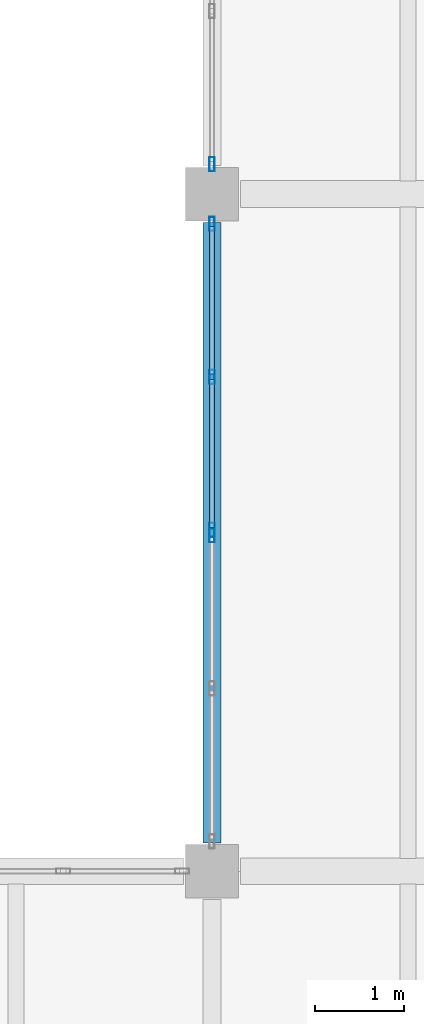
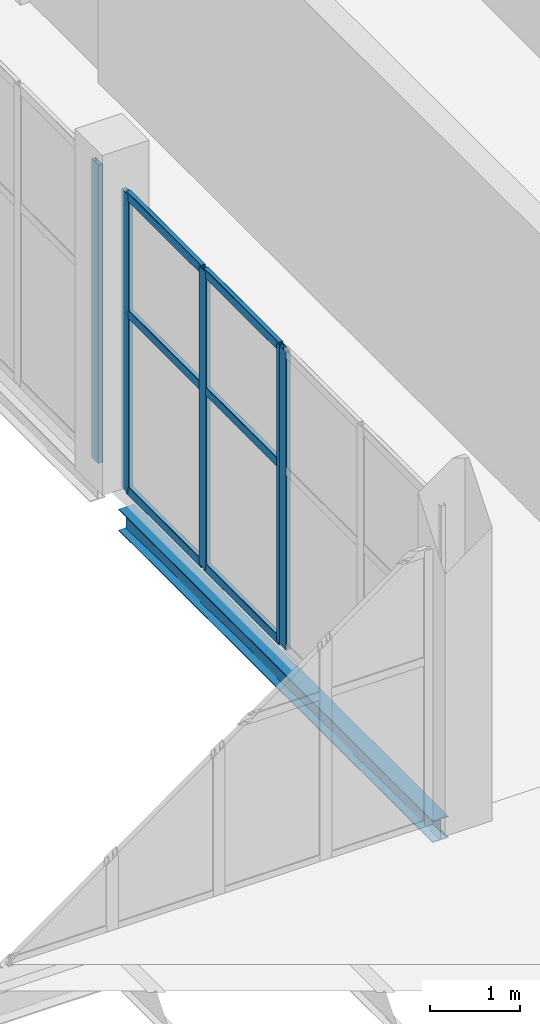
# One storey, part 71 of 136: 11 members, 1 beam, 3 elements without a shape of their own.
"""IFC4 building model written with IfcOpenShell, lengths in metres."""

import ifcopenshell
import ifcopenshell.guid

model = None  # the IFC model being written
_history = None  # IfcOwnerHistory: only IFC2X3 demands one
_inside = {}  # id of a spatial element -> (the spatial element, [elements in it])
_under = {}  # id of a project, library or spatial element -> (it, [spatial elements below it])
_declared = {}  # id of a project -> (the project, [libraries it declares])
_typed = {}  # id of a type object -> (the type object, [elements of that type])
_made_of = {}  # id of a material, layer set ... -> (it, [elements and type objects made of it])


def new_model(schema):
    """Start an empty IFC model of exactly this schema.

    Asked for "IFC4X3", IfcOpenShell would pick the latest addendum, in which some entities
    have other attributes; the version numbers below select the first issue.
    IFC2X3 requires an IfcOwnerHistory on every rooted entity: one is made here for all.
    """
    global model, _history
    if schema == "IFC4X3":
        model = ifcopenshell.file(schema_version=(4, 3, 0, 0))
    else:
        model = ifcopenshell.file(schema=schema)
    _inside.clear()
    _under.clear()
    _declared.clear()
    _typed.clear()
    _made_of.clear()
    _history = None
    if model.schema == "IFC2X3":
        org = make("IfcOrganization", Name="unknown")
        user = make(
            "IfcPersonAndOrganization",
            ThePerson=make("IfcPerson", FamilyName="unknown"),
            TheOrganization=org,
        )
        app = make(
            "IfcApplication",
            ApplicationDeveloper=org,
            Version="unknown",
            ApplicationFullName="unknown",
            ApplicationIdentifier="unknown",
        )
        _history = make(
            "IfcOwnerHistory",
            OwningUser=user,
            OwningApplication=app,
            ChangeAction="ADDED",
            CreationDate=0,
        )
    return model


def make(cls, **values):
    """One entity of the class cls with the attributes given. An attribute that is None is left unset."""
    return model.create_entity(
        cls, **{name: value for name, value in values.items() if value is not None}
    )


def rooted(cls, **values):
    """An entity with a GlobalId (a new one), such as an element, a storey or a relation."""
    return make(cls, GlobalId=ifcopenshell.guid.new(), OwnerHistory=_history, **values)


def si_unit(unit_type, name, prefix=None):
    """IfcSIUnit, for example si_unit("LENGTHUNIT", "METRE", prefix="MILLI")."""
    return make("IfcSIUnit", UnitType=unit_type, Prefix=prefix, Name=name)


def assignment(units):
    """IfcUnitAssignment: the units of a project."""
    return None if units is None else make("IfcUnitAssignment", Units=units)


def point(xyz):
    """IfcCartesianPoint."""
    return None if xyz is None else make("IfcCartesianPoint", Coordinates=xyz)


def direction(xyz):
    """IfcDirection."""
    return None if xyz is None else make("IfcDirection", DirectionRatios=xyz)


def frame(location, z_axis=None, x_axis=None):
    """IfcAxis2Placement3D, a coordinate frame: its origin and axes. An axis left out is left unset."""
    return make(
        "IfcAxis2Placement3D",
        Location=point(location),
        Axis=direction(z_axis),
        RefDirection=direction(x_axis),
    )


def frame_2d(location, x_axis=None):
    """IfcAxis2Placement2D, a coordinate frame in the plane: its origin and x axis."""
    return make(
        "IfcAxis2Placement2D", Location=point(location), RefDirection=direction(x_axis)
    )


def origin():
    """The frame at (0, 0, 0) with its axes left unset."""
    return frame((0.0, 0.0, 0.0))


def origin_2d():
    """The frame at (0, 0) in the plane with its x axis left unset."""
    return frame_2d((0.0, 0.0))


def place(relative_to, where):
    """IfcLocalPlacement: puts the frame where relative to a parent placement (None: the world)."""
    return make(
        "IfcLocalPlacement", PlacementRelTo=relative_to, RelativePlacement=where
    )


def context(
    kind, dimensions, precision=None, world=None, true_north=None, identifier=None
):
    """IfcGeometricRepresentationContext, for example the 3D "Model" context."""
    return make(
        "IfcGeometricRepresentationContext",
        ContextIdentifier=identifier,
        ContextType=kind,
        CoordinateSpaceDimension=dimensions,
        Precision=precision,
        WorldCoordinateSystem=world,
        TrueNorth=true_north,
    )


def subcontext(parent, identifier, kind, view, scale=None):
    """IfcGeometricRepresentationSubContext, for example "Body" below "Model"."""
    return make(
        "IfcGeometricRepresentationSubContext",
        ContextIdentifier=identifier,
        ContextType=kind,
        ParentContext=parent,
        TargetScale=scale,
        TargetView=view,
    )


def project(units=None, contexts=None):
    """IfcProject with its units and contexts."""
    return rooted(
        "IfcProject",
        Name="project",
        RepresentationContexts=contexts,
        UnitsInContext=assignment(units),
    )


def spatial(cls, under=None, at=None, **own):
    """A site, building, storey or space (cls), placed at a placement, below another one or the project."""
    s = rooted(cls, ObjectPlacement=at, **own)
    if under is not None:
        _under.setdefault(under.id(), (under, []))[1].append(s)
    return s


def profile(cls, at=None, kind="AREA", **sizes):
    """A parametric profile (cls). Its sizes go by their IFC names, for example OverallWidth=200.0."""
    return make(cls, ProfileType=kind, Position=at, **sizes)


def hollow_rectangle(**sizes):
    """IfcRectangleHollowProfileDef."""
    return profile("IfcRectangleHollowProfileDef", **sizes)


def i_section(**sizes):
    """IfcIShapeProfileDef."""
    return profile("IfcIShapeProfileDef", **sizes)


def extrude(swept, where, along, depth):
    """IfcExtrudedAreaSolid: the profile swept, set in the frame where, extruded along a direction by depth."""
    return make(
        "IfcExtrudedAreaSolid",
        SweptArea=swept,
        Position=where,
        ExtrudedDirection=direction(along),
        Depth=depth,
    )


def shape(context_of_items, identifier, shape_type, items):
    """IfcShapeRepresentation: the items that make up one representation, for example the "Body"."""
    return make(
        "IfcShapeRepresentation",
        ContextOfItems=context_of_items,
        RepresentationIdentifier=identifier,
        RepresentationType=shape_type,
        Items=items,
    )


def material(Name=None, Category=None):
    """IfcMaterial."""
    return make("IfcMaterial", Name=Name, Category=Category)


def material_profile(
    of_material, cross_section, Name=None, Category=None, Priority=None
):
    """IfcMaterialProfile: a cross section and its material."""
    return make(
        "IfcMaterialProfile",
        Name=Name,
        Material=of_material,
        Profile=cross_section,
        Priority=Priority,
        Category=Category,
    )


def profile_set(profiles, Name=None, composite=None):
    """IfcMaterialProfileSet."""
    return make(
        "IfcMaterialProfileSet",
        Name=Name,
        MaterialProfiles=profiles,
        CompositeProfile=composite,
    )


def made_of(thing, what):
    """Note that an element or type object is made of a material, layer set ...; save() writes the relation."""
    if what is not None:
        _made_of.setdefault(what.id(), (what, []))[1].append(thing)
    return thing


def type_object(cls, material=None, **own):
    """A type object (cls), such as IfcWallType, which elements share."""
    return made_of(rooted(cls, **own), material)


def element(
    cls,
    number,
    at=None,
    inside=None,
    cuts=None,
    type_object=None,
    material=None,
    context=None,
    identifier="Body",
    shape_type=None,
    held_by="IfcProductDefinitionShape",
    body=None,
    shapes=None,
    **own,
):
    """One element of the class cls, such as IfcWall. Its Tag is "e" and its number.

    at: its placement. inside: the storey or other place that contains it. cuts: it is an
    opening in that element (IfcRelVoidsElement). A single representation is given by context,
    identifier, shape_type and body (its items); several are given by shapes. held_by: the class
    of the entity that holds the representations. save() writes the other relations.
    """
    e = rooted(cls, Tag="e%d" % number, ObjectPlacement=at, **own)
    if body is not None:
        shapes = [shape(context, identifier, shape_type, body)]
    if shapes is not None:
        e.Representation = make(held_by, Representations=shapes)
    if inside is not None:
        _inside.setdefault(inside.id(), (inside, []))[1].append(e)
    if cuts is not None:
        rooted(
            "IfcRelVoidsElement", RelatingBuildingElement=cuts, RelatedOpeningElement=e
        )
    if type_object is not None:
        _typed.setdefault(type_object.id(), (type_object, []))[1].append(e)
    return made_of(e, material)


def aggregate(whole, parts):
    """IfcRelAggregates: a whole, such as a stair, and the parts it consists of."""
    return rooted("IfcRelAggregates", RelatingObject=whole, RelatedObjects=parts)


def save(model, path):
    """Write the relations noted so far, then the file.

    IfcRelAggregates (storeys below a building ...), IfcRelContainedInSpatialStructure (elements
    in a storey), IfcRelDefinesByType, IfcRelAssociatesMaterial and IfcRelDeclares: one each for
    every whole, place, type object, material and project.
    """
    for whole, parts in _under.values():
        aggregate(whole, parts)
    for where, things in _inside.values():
        rooted(
            "IfcRelContainedInSpatialStructure",
            RelatedElements=things,
            RelatingStructure=where,
        )
    for kind, things in _typed.values():
        rooted("IfcRelDefinesByType", RelatedObjects=things, RelatingType=kind)
    for what, things in _made_of.values():
        rooted("IfcRelAssociatesMaterial", RelatedObjects=things, RelatingMaterial=what)
    for by, libraries in _declared.values():
        rooted("IfcRelDeclares", RelatingContext=by, RelatedDefinitions=libraries)
    model.write(path)


model = new_model("IFC4")

# Units and contexts
model_context = context("Model", 3, precision=1e-05, world=origin(), true_north=direction((0.0, 1.0)))
body_context = subcontext(model_context, "Body", "Model", "MODEL_VIEW")
ifc_project = project(units=[si_unit("LENGTHUNIT", "METRE"), si_unit("AREAUNIT", "SQUARE_METRE"), si_unit("VOLUMEUNIT", "CUBIC_METRE"), si_unit("PLANEANGLEUNIT", "RADIAN"), si_unit("MASSUNIT", "GRAM", prefix="KILO")], contexts=[model_context])

# Site, building, storey
site_placement = place(None, origin())
site = spatial("IfcSite", under=ifc_project, at=site_placement, CompositionType="ELEMENT")
building_placement = place(site_placement, origin())
building = spatial("IfcBuilding", under=site, at=building_placement, Name="Shengluoqiao Park Theatre", CompositionType="ELEMENT")
storey_placement = place(building_placement, frame((0.0, 0.0, 10.0)))
storey = spatial("IfcBuildingStorey", under=building, at=storey_placement, Name="L02", CompositionType="ELEMENT", Elevation=10.0)

# Curtain wall, member
ifc_material_1 = material(Name="Aluminium 6063-T6", Category="aluminium")
curtain_wall_type = type_object("IfcCurtainWallType", Name="ENV-CW-COURT", PredefinedType="NOTDEFINED", material=ifc_material_1)
curtain_wall_1_placement = place(storey_placement, origin())
curtain_wall_1 = element("IfcCurtainWall", 1, at=curtain_wall_1_placement, inside=storey, type_object=curtain_wall_type, Name="L02 Curtain Wall CWX-L02-0190", PredefinedType="NOTDEFINED")
ifc_material_profile_1 = material_profile(ifc_material_1, hollow_rectangle(XDim=0.06005859375, YDim=0.159912109375, WallThickness=0.00390625, InnerFilletRadius=0.00390625, OuterFilletRadius=0.008056640625, at=origin_2d()), Name="ALU MULLION 160x60x4")
ifc_profile_set_1 = profile_set([ifc_material_profile_1], Name="Aluminium 6063-T6")
member_type_1 = type_object("IfcMemberType", Name="ENV-MUL-160", PredefinedType="MULLION", material=ifc_profile_set_1)
member_1_placement = place(storey_placement, frame((157.199951171875, 26.570068359375, 0.0), z_axis=(0.0, 0.0, 1.0), x_axis=(-1.0, 0.0, 0.0)))
member_1 = element("IfcMember", 2, at=member_1_placement, type_object=member_type_1, Name="CW-05 mullion 3", PredefinedType="MULLION", context=body_context, shape_type="SweptSolid", body=[
    extrude(hollow_rectangle(XDim=0.06005859375, YDim=0.159912109375, WallThickness=0.00390625, InnerFilletRadius=0.00390625, OuterFilletRadius=0.008056640625, at=origin_2d()), origin(), (0.0, 0.0, 1.0), 4.033935546875),
])
aggregate(curtain_wall_1, [member_1])

# Curtain wall, members
curtain_wall_2_placement = place(storey_placement, origin())
curtain_wall_2 = element("IfcCurtainWall", 3, at=curtain_wall_2_placement, inside=storey, type_object=curtain_wall_type, Name="L02 Curtain Wall CWX-L02-0191", PredefinedType="NOTDEFINED")
member_2_placement = place(storey_placement, frame((157.199951171875, 26.6298828125, 0.0), z_axis=(0.0, 0.0, 1.0), x_axis=(-1.0, 0.0, 0.0)))
member_2 = element("IfcMember", 4, at=member_2_placement, type_object=member_type_1, Name="CW-05 mullion 1", PredefinedType="MULLION", context=body_context, shape_type="SweptSolid", body=[
    extrude(hollow_rectangle(XDim=0.06005859375, YDim=0.159912109375, WallThickness=0.00390625, InnerFilletRadius=0.00390625, OuterFilletRadius=0.008056640625, at=origin_2d()), origin(), (0.0, 0.0, 1.0), 4.033935546875),
])
member_3_placement = place(storey_placement, frame((157.199951171875, 28.347900390625, 0.0), z_axis=(0.0, 0.0, 1.0), x_axis=(-1.0, 0.0, 0.0)))
member_3 = element("IfcMember", 5, at=member_3_placement, type_object=member_type_1, Name="CW-05 mullion 2", PredefinedType="MULLION", context=body_context, shape_type="SweptSolid", body=[
    extrude(hollow_rectangle(XDim=0.06005859375, YDim=0.159912109375, WallThickness=0.00390625, InnerFilletRadius=0.00390625, OuterFilletRadius=0.008056640625, at=origin_2d()), origin(), (0.0, 0.0, 1.0), 4.033935546875),
])
member_4_placement = place(storey_placement, frame((157.199951171875, 30.06591796875, 0.0), z_axis=(0.0, 0.0, 1.0), x_axis=(-1.0, 0.0, 0.0)))
member_4 = element("IfcMember", 6, at=member_4_placement, type_object=member_type_1, Name="CW-05 mullion 3", PredefinedType="MULLION", context=body_context, shape_type="SweptSolid", body=[
    extrude(hollow_rectangle(XDim=0.06005859375, YDim=0.159912109375, WallThickness=0.00390625, InnerFilletRadius=0.00390625, OuterFilletRadius=0.008056640625, at=origin_2d()), origin(), (0.0, 0.0, 1.0), 4.033935546875),
])

# Curtain wall, member
curtain_wall_3_placement = place(storey_placement, origin())
curtain_wall_3 = element("IfcCurtainWall", 7, at=curtain_wall_3_placement, inside=storey, type_object=curtain_wall_type, Name="L02 Curtain Wall CWX-L02-0192", PredefinedType="NOTDEFINED")
member_5_placement = place(storey_placement, frame((157.199951171875, 30.73388671875, 0.0), z_axis=(0.0, 0.0, 1.0), x_axis=(-1.0, 0.0, 0.0)))
member_5 = element("IfcMember", 8, at=member_5_placement, type_object=member_type_1, Name="CW-05 mullion 1", PredefinedType="MULLION", context=body_context, shape_type="SweptSolid", body=[
    extrude(hollow_rectangle(XDim=0.06005859375, YDim=0.159912109375, WallThickness=0.00390625, InnerFilletRadius=0.00390625, OuterFilletRadius=0.008056640625, at=origin_2d()), origin(), (0.0, 0.0, 1.0), 4.033935546875),
])
aggregate(curtain_wall_3, [member_5])

# Member
ifc_material_profile_2 = material_profile(ifc_material_1, hollow_rectangle(XDim=0.06005859375, YDim=0.1201171875, WallThickness=0.00390625, InnerFilletRadius=0.00390625, OuterFilletRadius=0.008056640625, at=origin_2d()), Name="ALU TRANSOM 120x60x4")
ifc_profile_set_2 = profile_set([ifc_material_profile_2], Name="Aluminium 6063-T6")
member_type_2 = type_object("IfcMemberType", Name="ENV-TRN-120", PredefinedType="USERDEFINED", material=ifc_profile_set_2)
member_6_placement = place(storey_placement, frame((157.199951171875, 26.659912109375, 0.030029296875), z_axis=(0.0, 1.0, 0.0), x_axis=(-1.0, 0.0, 0.0)))
member_6 = element("IfcMember", 9, at=member_6_placement, type_object=member_type_2, Name="CW-05 transom 1.1", ObjectType="TRANSOM", PredefinedType="USERDEFINED", context=body_context, shape_type="SweptSolid", body=[
    extrude(hollow_rectangle(XDim=0.06005859375, YDim=0.1201171875, WallThickness=0.00390625, InnerFilletRadius=0.00390625, OuterFilletRadius=0.008056640625, at=origin_2d()), origin(), (0.0, 0.0, 1.0), 1.658203125),
])

member_7_placement = place(storey_placement, frame((157.199951171875, 26.659912109375, 2.419921875), z_axis=(0.0, 1.0, 0.0), x_axis=(-1.0, 0.0, 0.0)))
member_7 = element("IfcMember", 10, at=member_7_placement, type_object=member_type_2, Name="CW-05 transom 1.2", ObjectType="TRANSOM", PredefinedType="USERDEFINED", context=body_context, shape_type="SweptSolid", body=[
    extrude(hollow_rectangle(XDim=0.06005859375, YDim=0.1201171875, WallThickness=0.00390625, InnerFilletRadius=0.00390625, OuterFilletRadius=0.008056640625, at=origin_2d()), origin(), (0.0, 0.0, 1.0), 1.658203125),
])

member_8_placement = place(storey_placement, frame((157.199951171875, 26.659912109375, 4.00390625), z_axis=(0.0, 1.0, 0.0), x_axis=(-1.0, 0.0, 0.0)))
member_8 = element("IfcMember", 11, at=member_8_placement, type_object=member_type_2, Name="CW-05 transom 1.3", ObjectType="TRANSOM", PredefinedType="USERDEFINED", context=body_context, shape_type="SweptSolid", body=[
    extrude(hollow_rectangle(XDim=0.06005859375, YDim=0.1201171875, WallThickness=0.00390625, InnerFilletRadius=0.00390625, OuterFilletRadius=0.008056640625, at=origin_2d()), origin(), (0.0, 0.0, 1.0), 1.658203125),
])

member_9_placement = place(storey_placement, frame((157.199951171875, 28.3779296875, 0.030029296875), z_axis=(0.0, 1.0, 0.0), x_axis=(-1.0, 0.0, 0.0)))
member_9 = element("IfcMember", 12, at=member_9_placement, type_object=member_type_2, Name="CW-05 transom 2.1", ObjectType="TRANSOM", PredefinedType="USERDEFINED", context=body_context, shape_type="SweptSolid", body=[
    extrude(hollow_rectangle(XDim=0.06005859375, YDim=0.1201171875, WallThickness=0.00390625, InnerFilletRadius=0.00390625, OuterFilletRadius=0.008056640625, at=origin_2d()), origin(), (0.0, 0.0, 1.0), 1.657958984375),
])

member_10_placement = place(storey_placement, frame((157.199951171875, 28.3779296875, 2.419921875), z_axis=(0.0, 1.0, 0.0), x_axis=(-1.0, 0.0, 0.0)))
member_10 = element("IfcMember", 13, at=member_10_placement, type_object=member_type_2, Name="CW-05 transom 2.2", ObjectType="TRANSOM", PredefinedType="USERDEFINED", context=body_context, shape_type="SweptSolid", body=[
    extrude(hollow_rectangle(XDim=0.06005859375, YDim=0.1201171875, WallThickness=0.00390625, InnerFilletRadius=0.00390625, OuterFilletRadius=0.008056640625, at=origin_2d()), origin(), (0.0, 0.0, 1.0), 1.657958984375),
])

member_11_placement = place(storey_placement, frame((157.199951171875, 28.3779296875, 4.00390625), z_axis=(0.0, 1.0, 0.0), x_axis=(-1.0, 0.0, 0.0)))
member_11 = element("IfcMember", 14, at=member_11_placement, type_object=member_type_2, Name="CW-05 transom 2.3", ObjectType="TRANSOM", PredefinedType="USERDEFINED", context=body_context, shape_type="SweptSolid", body=[
    extrude(hollow_rectangle(XDim=0.06005859375, YDim=0.1201171875, WallThickness=0.00390625, InnerFilletRadius=0.00390625, OuterFilletRadius=0.008056640625, at=origin_2d()), origin(), (0.0, 0.0, 1.0), 1.657958984375),
])

aggregate(curtain_wall_2, [member_2, member_3, member_4, member_6, member_7, member_8, member_9, member_10, member_11])

# Beam
ifc_material_2 = material(Name="Steel Q355", Category="steel")
ifc_material_profile_3 = material_profile(ifc_material_2, i_section(OverallWidth=0.199951171875, OverallDepth=0.2939453125, WebThickness=0.008056640625, FlangeThickness=0.011962890625, FilletRadius=0.01611328125, at=origin_2d()), Name="HM 294x200x8x12")
ifc_profile_set_3 = profile_set([ifc_material_profile_3], Name="Steel Q355")
beam_type = type_object("IfcBeamType", Name="STR-BM-G-HM294", PredefinedType="BEAM", material=ifc_profile_set_3)
beam_placement = place(storey_placement, frame((157.199951171875, 23.118896484375, -0.386962890625), z_axis=(0.0, 1.0, 0.0), x_axis=(-1.0, 0.0, 0.0)))
element("IfcBeam", 15, at=beam_placement, inside=storey, type_object=beam_type, Name="L02 Transverse Girder 01152", PredefinedType="BEAM", context=body_context, shape_type="SweptSolid", body=[
    extrude(i_section(OverallWidth=0.199951171875, OverallDepth=0.2939453125, WebThickness=0.008056640625, FlangeThickness=0.011962890625, FilletRadius=0.01611328125, at=origin_2d()), origin(), (0.0, 0.0, 1.0), 6.962158203125),
])

save(model, "model.ifc")
